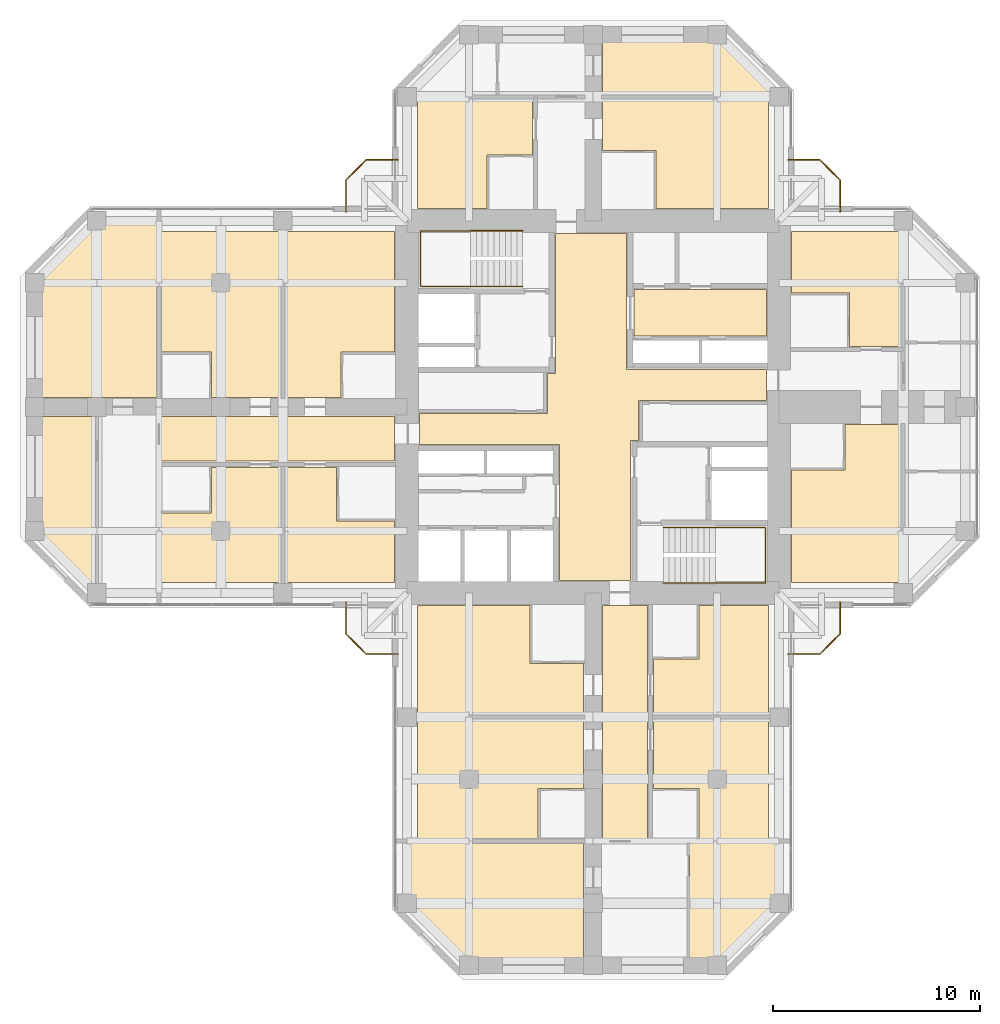
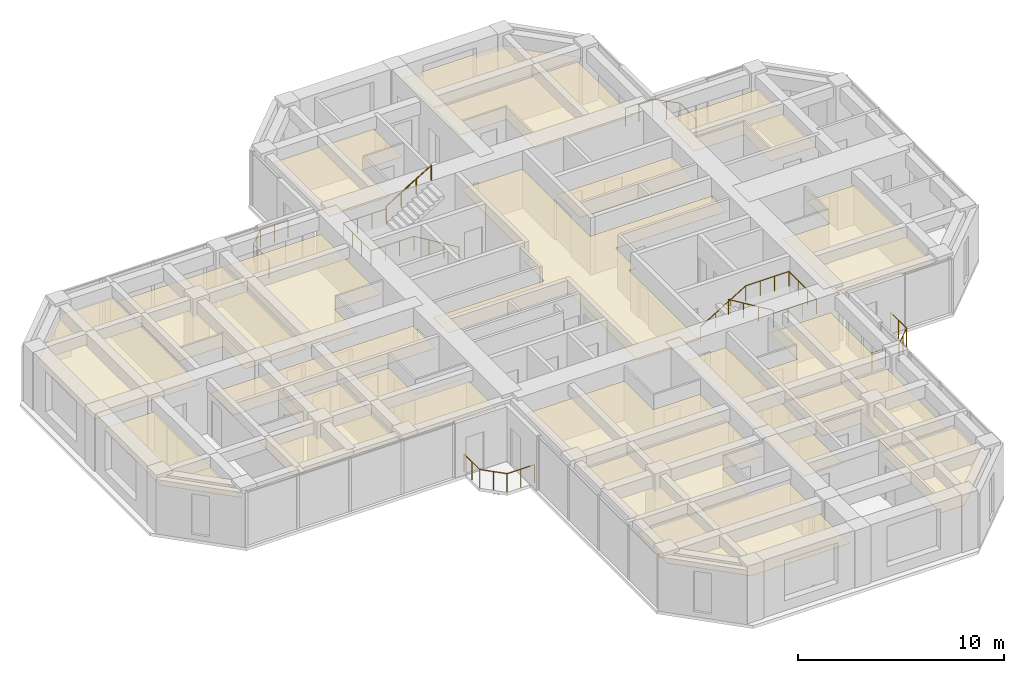
# One storey, part 14 of 14: 21 coverings, 8 railings.
"""IFC4 building model written with IfcOpenShell, lengths in metres."""

from ifc_helpers import new_model, si_unit, direction, frame, origin, origin_2d, place, context, subcontext, project, spatial, polyline, circle, outline, extrude, material, layer, layer_set, constituent, constituent_set, type_object, element, save


model = new_model("IFC4")

# Units and contexts
model_context = context("Model", 3, precision=1e-05, world=origin(), true_north=direction((0.0, 1.0)))
body_context = subcontext(model_context, "Body", "Model", "MODEL_VIEW")
ifc_project = project(units=[si_unit("LENGTHUNIT", "METRE"), si_unit("AREAUNIT", "SQUARE_METRE"), si_unit("VOLUMEUNIT", "CUBIC_METRE"), si_unit("PLANEANGLEUNIT", "RADIAN"), si_unit("MASSUNIT", "GRAM", prefix="KILO")], contexts=[model_context])

# Site, building, storey
site_placement = place(None, origin())
site = spatial("IfcSite", under=ifc_project, at=site_placement, CompositionType="ELEMENT")
building_placement = place(site_placement, origin())
building = spatial("IfcBuilding", under=site, at=building_placement, Name="Torre Cruceta", CompositionType="ELEMENT")
storey_placement = place(building_placement, frame((0.0, 0.0, 172.89990234375)))
storey = spatial("IfcBuildingStorey", under=building, at=storey_placement, Name="L42", CompositionType="ELEMENT", Elevation=172.89990234375)

# Railings
ifc_material_1 = material(Name="Stainless steel 1.4401", Category="steel")
ifc_constituent_1 = constituent(ifc_material_1, Name="Frame")
ifc_material_2 = material(Name="Laminated safety glass", Category="glass")
ifc_constituent_2 = constituent(ifc_material_2, Name="Infill")
ifc_constituent_set = constituent_set(constituents=[ifc_constituent_1, ifc_constituent_2], Name="Stainless steel and laminated glass balustrade")
railing_type_1 = type_object("IfcRailingType", Name="BALCONY BALUSTRADE 1100", PredefinedType="BALUSTRADE", material=ifc_constituent_set)
railing_1_placement = place(storey_placement, frame((-9.449951171875, 11.949951171875, 0.0)))
element("IfcRailing", 1, at=railing_1_placement, inside=storey, type_object=railing_type_1, Name="BL1 balcony balustrade L42 N", PredefinedType="BALUSTRADE", context=body_context, shape_type="SweptSolid", body=[
    extrude(circle(Radius=0.02392578125, at=origin_2d()), frame((0.0, 0.0, 1.076171875), z_axis=(-1.0, 0.0, 0.0), x_axis=(0.0, -1.0, 0.0)), (0.0, 0.0, 1.0), 1.529296875),
    extrude(circle(Radius=0.02392578125, at=origin_2d()), frame((-1.529296875, 0.0, 1.076171875), z_axis=(-0.707106781187, -0.707106781187, 0.0), x_axis=(0.707106781187, -0.707106781187, 0.0)), (0.0, 0.0, 1.0), 1.372802734375),
    extrude(circle(Radius=0.02392578125, at=origin_2d()), frame((-2.5, -0.970703125, 1.076171875), z_axis=(0.0, -1.0, 0.0), x_axis=(1.0, 0.0, 0.0)), (0.0, 0.0, 1.0), 1.529296875),
    extrude(circle(Radius=0.02099609375, at=origin_2d()), origin(), (0.0, 0.0, 1.0), 1.052001953125),
    extrude(circle(Radius=0.02099609375, at=origin_2d()), frame((-0.7646484375, 0.0, 0.0)), (0.0, 0.0, 1.0), 1.052001953125),
    extrude(circle(Radius=0.02099609375, at=origin_2d()), frame((-1.529296875, 0.0, 0.0)), (0.0, 0.0, 1.0), 1.052001953125),
    extrude(circle(Radius=0.02099609375, at=origin_2d()), frame((-2.0146484375, -0.4853515625, 0.0)), (0.0, 0.0, 1.0), 1.052001953125),
    extrude(circle(Radius=0.02099609375, at=origin_2d()), frame((-2.5, -0.970703125, 0.0)), (0.0, 0.0, 1.0), 1.052001953125),
    extrude(circle(Radius=0.02099609375, at=origin_2d()), frame((-2.5, -1.7353515625, 0.0)), (0.0, 0.0, 1.0), 1.052001953125),
    extrude(circle(Radius=0.02099609375, at=origin_2d()), frame((-2.5, -2.5, 0.0)), (0.0, 0.0, 1.0), 1.052001953125),
])
railing_2_placement = place(storey_placement, frame((9.449951171875, 11.949951171875, 0.0)))
element("IfcRailing", 2, at=railing_2_placement, inside=storey, type_object=railing_type_1, Name="BL1 balcony balustrade L42 E", PredefinedType="BALUSTRADE", context=body_context, shape_type="SweptSolid", body=[
    extrude(circle(Radius=0.02392578125, at=origin_2d()), frame((0.0, 0.0, 1.076171875), z_axis=(1.0, 0.0, 0.0), x_axis=(0.0, 1.0, 0.0)), (0.0, 0.0, 1.0), 1.529296875),
    extrude(circle(Radius=0.02392578125, at=origin_2d()), frame((1.529296875, 0.0, 1.076171875), z_axis=(0.707106781187, -0.707106781187, 0.0), x_axis=(0.707106781187, 0.707106781187, 0.0)), (0.0, 0.0, 1.0), 1.372802734375),
    extrude(circle(Radius=0.02392578125, at=origin_2d()), frame((2.5, -0.970703125, 1.076171875), z_axis=(0.0, -1.0, 0.0), x_axis=(1.0, 0.0, 0.0)), (0.0, 0.0, 1.0), 1.529296875),
    extrude(circle(Radius=0.02099609375, at=origin_2d()), origin(), (0.0, 0.0, 1.0), 1.052001953125),
    extrude(circle(Radius=0.02099609375, at=origin_2d()), frame((0.7646484375, 0.0, 0.0)), (0.0, 0.0, 1.0), 1.052001953125),
    extrude(circle(Radius=0.02099609375, at=origin_2d()), frame((1.529296875, 0.0, 0.0)), (0.0, 0.0, 1.0), 1.052001953125),
    extrude(circle(Radius=0.02099609375, at=origin_2d()), frame((2.0146484375, -0.4853515625, 0.0)), (0.0, 0.0, 1.0), 1.052001953125),
    extrude(circle(Radius=0.02099609375, at=origin_2d()), frame((2.5, -0.970703125, 0.0)), (0.0, 0.0, 1.0), 1.052001953125),
    extrude(circle(Radius=0.02099609375, at=origin_2d()), frame((2.5, -1.7353515625, 0.0)), (0.0, 0.0, 1.0), 1.052001953125),
    extrude(circle(Radius=0.02099609375, at=origin_2d()), frame((2.5, -2.5, 0.0)), (0.0, 0.0, 1.0), 1.052001953125),
])
railing_3_placement = place(storey_placement, frame((9.449951171875, -11.949951171875, 0.0)))
element("IfcRailing", 3, at=railing_3_placement, inside=storey, type_object=railing_type_1, Name="BL1 balcony balustrade L42 S", PredefinedType="BALUSTRADE", context=body_context, shape_type="SweptSolid", body=[
    extrude(circle(Radius=0.02392578125, at=origin_2d()), frame((0.0, 0.0, 1.076171875), z_axis=(1.0, 0.0, 0.0), x_axis=(0.0, 1.0, 0.0)), (0.0, 0.0, 1.0), 1.529296875),
    extrude(circle(Radius=0.02392578125, at=origin_2d()), frame((1.529296875, 0.0, 1.076171875), z_axis=(0.707106781187, 0.707106781187, 0.0), x_axis=(-0.707106781187, 0.707106781187, 0.0)), (0.0, 0.0, 1.0), 1.372802734375),
    extrude(circle(Radius=0.02392578125, at=origin_2d()), frame((2.5, 0.970703125, 1.076171875), z_axis=(0.0, 1.0, 0.0), x_axis=(-1.0, 0.0, 0.0)), (0.0, 0.0, 1.0), 1.529296875),
    extrude(circle(Radius=0.02099609375, at=origin_2d()), origin(), (0.0, 0.0, 1.0), 1.052001953125),
    extrude(circle(Radius=0.02099609375, at=origin_2d()), frame((0.7646484375, 0.0, 0.0)), (0.0, 0.0, 1.0), 1.052001953125),
    extrude(circle(Radius=0.02099609375, at=origin_2d()), frame((1.529296875, 0.0, 0.0)), (0.0, 0.0, 1.0), 1.052001953125),
    extrude(circle(Radius=0.02099609375, at=origin_2d()), frame((2.0146484375, 0.4853515625, 0.0)), (0.0, 0.0, 1.0), 1.052001953125),
    extrude(circle(Radius=0.02099609375, at=origin_2d()), frame((2.5, 0.970703125, 0.0)), (0.0, 0.0, 1.0), 1.052001953125),
    extrude(circle(Radius=0.02099609375, at=origin_2d()), frame((2.5, 1.7353515625, 0.0)), (0.0, 0.0, 1.0), 1.052001953125),
    extrude(circle(Radius=0.02099609375, at=origin_2d()), frame((2.5, 2.5, 0.0)), (0.0, 0.0, 1.0), 1.052001953125),
])
railing_4_placement = place(storey_placement, frame((-9.449951171875, -11.949951171875, 0.0)))
element("IfcRailing", 4, at=railing_4_placement, inside=storey, type_object=railing_type_1, Name="BL1 balcony balustrade L42 W", PredefinedType="BALUSTRADE", context=body_context, shape_type="SweptSolid", body=[
    extrude(circle(Radius=0.02392578125, at=origin_2d()), frame((0.0, 0.0, 1.076171875), z_axis=(-1.0, 0.0, 0.0), x_axis=(0.0, -1.0, 0.0)), (0.0, 0.0, 1.0), 1.529296875),
    extrude(circle(Radius=0.02392578125, at=origin_2d()), frame((-1.529296875, 0.0, 1.076171875), z_axis=(-0.707106781187, 0.707106781187, 0.0), x_axis=(-0.707106781187, -0.707106781187, 0.0)), (0.0, 0.0, 1.0), 1.372802734375),
    extrude(circle(Radius=0.02392578125, at=origin_2d()), frame((-2.5, 0.970703125, 1.076171875), z_axis=(0.0, 1.0, 0.0), x_axis=(-1.0, 0.0, 0.0)), (0.0, 0.0, 1.0), 1.529296875),
    extrude(circle(Radius=0.02099609375, at=origin_2d()), origin(), (0.0, 0.0, 1.0), 1.052001953125),
    extrude(circle(Radius=0.02099609375, at=origin_2d()), frame((-0.7646484375, 0.0, 0.0)), (0.0, 0.0, 1.0), 1.052001953125),
    extrude(circle(Radius=0.02099609375, at=origin_2d()), frame((-1.529296875, 0.0, 0.0)), (0.0, 0.0, 1.0), 1.052001953125),
    extrude(circle(Radius=0.02099609375, at=origin_2d()), frame((-2.0146484375, 0.4853515625, 0.0)), (0.0, 0.0, 1.0), 1.052001953125),
    extrude(circle(Radius=0.02099609375, at=origin_2d()), frame((-2.5, 0.970703125, 0.0)), (0.0, 0.0, 1.0), 1.052001953125),
    extrude(circle(Radius=0.02099609375, at=origin_2d()), frame((-2.5, 1.7353515625, 0.0)), (0.0, 0.0, 1.0), 1.052001953125),
    extrude(circle(Radius=0.02099609375, at=origin_2d()), frame((-2.5, 2.5, 0.0)), (0.0, 0.0, 1.0), 1.052001953125),
])
ifc_material_3 = material(Name="Stainless steel 1.4401", Category="steel")
railing_type_2 = type_object("IfcRailingType", Name="HANDRAIL 900", PredefinedType="HANDRAIL", material=ifc_material_3)
railing_5_placement = place(storey_placement, frame((-3.39990234375, 5.8349609375, 0.170166015625)))
element("IfcRailing", 5, at=railing_5_placement, inside=storey, type_object=railing_type_2, Name="Handrail HR1 ST1 L42", PredefinedType="HANDRAIL", context=body_context, shape_type="SweptSolid", body=[
    extrude(circle(Radius=0.02392578125, at=origin_2d()), frame((0.0, 0.0, 0.8759765625), z_axis=(-0.85478489116, 0.0, 0.518982456201), x_axis=(0.0, -1.0, 0.0)), (0.0, 0.0, 1.0), 2.9482421875),
    extrude(circle(Radius=0.02392578125, at=origin_2d()), frame((-2.52001953125, 0.0, 2.40576171875), z_axis=(-1.0, 0.0, 0.0), x_axis=(0.0, -1.0, 0.0)), (0.0, 0.0, 1.0), 2.420166015625),
    extrude(circle(Radius=0.02392578125, at=origin_2d()), frame((-4.940185546875, 0.0, 2.40576171875), z_axis=(0.0, 1.0, 0.0), x_axis=(-1.0, 0.0, 0.0)), (0.0, 0.0, 1.0), 2.679931640625),
    extrude(circle(Radius=0.02392578125, at=origin_2d()), frame((-4.940185546875, 2.679931640625, 2.40576171875), z_axis=(1.0, 0.0, 0.0), x_axis=(0.0, 1.0, 0.0)), (0.0, 0.0, 1.0), 2.420166015625),
    extrude(circle(Radius=0.02099609375, at=origin_2d()), origin(), (0.0, 0.0, 1.0), 0.851806640625),
    extrude(circle(Radius=0.02099609375, at=origin_2d()), frame((-0.840087890625, 0.0, 0.510009765625)), (0.0, 0.0, 1.0), 0.851806640625),
    extrude(circle(Radius=0.02099609375, at=origin_2d()), frame((-1.679931640625, 0.0, 1.02001953125)), (0.0, 0.0, 1.0), 0.851806640625),
    extrude(circle(Radius=0.02099609375, at=origin_2d()), frame((-2.52001953125, 0.0, 1.530029296875)), (0.0, 0.0, 1.0), 0.851806640625),
    extrude(circle(Radius=0.02099609375, at=origin_2d()), frame((-3.32666015625, 0.0, 1.530029296875)), (0.0, 0.0, 1.0), 0.851806640625),
    extrude(circle(Radius=0.02099609375, at=origin_2d()), frame((-4.133544921875, 0.0, 1.530029296875)), (0.0, 0.0, 1.0), 0.851806640625),
    extrude(circle(Radius=0.02099609375, at=origin_2d()), frame((-4.940185546875, 0.0, 1.530029296875)), (0.0, 0.0, 1.0), 0.851806640625),
    extrude(circle(Radius=0.02099609375, at=origin_2d()), frame((-4.940185546875, 0.893310546875, 1.530029296875)), (0.0, 0.0, 1.0), 0.851806640625),
    extrude(circle(Radius=0.02099609375, at=origin_2d()), frame((-4.940185546875, 1.78662109375, 1.530029296875)), (0.0, 0.0, 1.0), 0.851806640625),
    extrude(circle(Radius=0.02099609375, at=origin_2d()), frame((-4.940185546875, 2.679931640625, 1.530029296875)), (0.0, 0.0, 1.0), 0.851806640625),
    extrude(circle(Radius=0.02099609375, at=origin_2d()), frame((-4.133544921875, 2.679931640625, 1.530029296875)), (0.0, 0.0, 1.0), 0.851806640625),
    extrude(circle(Radius=0.02099609375, at=origin_2d()), frame((-3.32666015625, 2.679931640625, 1.530029296875)), (0.0, 0.0, 1.0), 0.851806640625),
    extrude(circle(Radius=0.02099609375, at=origin_2d()), frame((-2.52001953125, 2.679931640625, 1.530029296875)), (0.0, 0.0, 1.0), 0.851806640625),
])
railing_6_placement = place(storey_placement, frame((-5.919921875, 8.514892578125, 1.8701171875)))
element("IfcRailing", 6, at=railing_6_placement, inside=storey, type_object=railing_type_2, Name="Handrail HR1 ST1 L42", PredefinedType="HANDRAIL", context=body_context, shape_type="SweptSolid", body=[
    extrude(circle(Radius=0.02392578125, at=origin_2d()), frame((0.0, 0.0, 0.8759765625), z_axis=(0.85478489116, 0.0, 0.518982456201), x_axis=(0.0, 1.0, 0.0)), (0.0, 0.0, 1.0), 2.9482421875),
    extrude(circle(Radius=0.02099609375, at=origin_2d()), origin(), (0.0, 0.0, 1.0), 0.851806640625),
    extrude(circle(Radius=0.02099609375, at=origin_2d()), frame((0.840087890625, 0.0, 0.510009765625)), (0.0, 0.0, 1.0), 0.851806640625),
    extrude(circle(Radius=0.02099609375, at=origin_2d()), frame((1.679931640625, 0.0, 1.02001953125)), (0.0, 0.0, 1.0), 0.851806640625),
    extrude(circle(Radius=0.02099609375, at=origin_2d()), frame((2.52001953125, 0.0, 1.530029296875)), (0.0, 0.0, 1.0), 0.851806640625),
])
railing_7_placement = place(storey_placement, frame((3.39990234375, -5.8349609375, 0.170166015625)))
element("IfcRailing", 7, at=railing_7_placement, inside=storey, type_object=railing_type_2, Name="Handrail HR1 ST2 L42", PredefinedType="HANDRAIL", context=body_context, shape_type="SweptSolid", body=[
    extrude(circle(Radius=0.02392578125, at=origin_2d()), frame((0.0, 0.0, 0.8759765625), z_axis=(0.85478489116, 0.0, 0.518982456201), x_axis=(0.0, 1.0, 0.0)), (0.0, 0.0, 1.0), 2.9482421875),
    extrude(circle(Radius=0.02392578125, at=origin_2d()), frame((2.52001953125, 0.0, 2.40576171875), z_axis=(1.0, 0.0, 0.0), x_axis=(0.0, 1.0, 0.0)), (0.0, 0.0, 1.0), 2.420166015625),
    extrude(circle(Radius=0.02392578125, at=origin_2d()), frame((4.940185546875, 0.0, 2.40576171875), z_axis=(0.0, -1.0, 0.0), x_axis=(1.0, 0.0, 0.0)), (0.0, 0.0, 1.0), 2.679931640625),
    extrude(circle(Radius=0.02392578125, at=origin_2d()), frame((4.940185546875, -2.679931640625, 2.40576171875), z_axis=(-1.0, 0.0, 0.0), x_axis=(0.0, -1.0, 0.0)), (0.0, 0.0, 1.0), 2.420166015625),
    extrude(circle(Radius=0.02099609375, at=origin_2d()), origin(), (0.0, 0.0, 1.0), 0.851806640625),
    extrude(circle(Radius=0.02099609375, at=origin_2d()), frame((0.840087890625, 0.0, 0.510009765625)), (0.0, 0.0, 1.0), 0.851806640625),
    extrude(circle(Radius=0.02099609375, at=origin_2d()), frame((1.679931640625, 0.0, 1.02001953125)), (0.0, 0.0, 1.0), 0.851806640625),
    extrude(circle(Radius=0.02099609375, at=origin_2d()), frame((2.52001953125, 0.0, 1.530029296875)), (0.0, 0.0, 1.0), 0.851806640625),
    extrude(circle(Radius=0.02099609375, at=origin_2d()), frame((3.32666015625, 0.0, 1.530029296875)), (0.0, 0.0, 1.0), 0.851806640625),
    extrude(circle(Radius=0.02099609375, at=origin_2d()), frame((4.133544921875, 0.0, 1.530029296875)), (0.0, 0.0, 1.0), 0.851806640625),
    extrude(circle(Radius=0.02099609375, at=origin_2d()), frame((4.940185546875, 0.0, 1.530029296875)), (0.0, 0.0, 1.0), 0.851806640625),
    extrude(circle(Radius=0.02099609375, at=origin_2d()), frame((4.940185546875, -0.893310546875, 1.530029296875)), (0.0, 0.0, 1.0), 0.851806640625),
    extrude(circle(Radius=0.02099609375, at=origin_2d()), frame((4.940185546875, -1.78662109375, 1.530029296875)), (0.0, 0.0, 1.0), 0.851806640625),
    extrude(circle(Radius=0.02099609375, at=origin_2d()), frame((4.940185546875, -2.679931640625, 1.530029296875)), (0.0, 0.0, 1.0), 0.851806640625),
    extrude(circle(Radius=0.02099609375, at=origin_2d()), frame((4.133544921875, -2.679931640625, 1.530029296875)), (0.0, 0.0, 1.0), 0.851806640625),
    extrude(circle(Radius=0.02099609375, at=origin_2d()), frame((3.32666015625, -2.679931640625, 1.530029296875)), (0.0, 0.0, 1.0), 0.851806640625),
    extrude(circle(Radius=0.02099609375, at=origin_2d()), frame((2.52001953125, -2.679931640625, 1.530029296875)), (0.0, 0.0, 1.0), 0.851806640625),
])
railing_8_placement = place(storey_placement, frame((5.919921875, -8.514892578125, 1.8701171875)))
element("IfcRailing", 8, at=railing_8_placement, inside=storey, type_object=railing_type_2, Name="Handrail HR1 ST2 L42", PredefinedType="HANDRAIL", context=body_context, shape_type="SweptSolid", body=[
    extrude(circle(Radius=0.02392578125, at=origin_2d()), frame((0.0, 0.0, 0.8759765625), z_axis=(-0.85478489116, 0.0, 0.518982456201), x_axis=(0.0, -1.0, 0.0)), (0.0, 0.0, 1.0), 2.9482421875),
    extrude(circle(Radius=0.02099609375, at=origin_2d()), origin(), (0.0, 0.0, 1.0), 0.851806640625),
    extrude(circle(Radius=0.02099609375, at=origin_2d()), frame((-0.840087890625, 0.0, 0.510009765625)), (0.0, 0.0, 1.0), 0.851806640625),
    extrude(circle(Radius=0.02099609375, at=origin_2d()), frame((-1.679931640625, 0.0, 1.02001953125)), (0.0, 0.0, 1.0), 0.851806640625),
    extrude(circle(Radius=0.02099609375, at=origin_2d()), frame((-2.52001953125, 0.0, 1.530029296875)), (0.0, 0.0, 1.0), 0.851806640625),
])

# Coverings
ifc_material_4 = material(Name="Mineral fibre ceiling tile", Category="gypsum")
ifc_layer = layer(ifc_material_4, 0.02001953125)
ifc_layer_set = layer_set([ifc_layer], Name="Mineral fibre ceiling tile")
covering_type = type_object("IfcCoveringType", Name="SUSPENDED CEILING 20", PredefinedType="CEILING", material=ifc_layer_set)
covering_1_placement = place(storey_placement, frame((0.0, 0.0, 2.35009765625)))
element("IfcCovering", 9, at=covering_1_placement, inside=storey, type_object=covering_type, Name="Ceiling L42-003", PredefinedType="CEILING", context=body_context, shape_type="SweptSolid", body=[
    extrude(outline(polyline([(1.824951171875, -8.39990234375), (-1.625, -8.39990234375), (-1.625, -1.824951171875), (-8.39990234375, -1.824951171875), (-8.39990234375, -0.324951171875), (-2.199951171875, -0.324951171875), (-2.199951171875, 1.625), (-1.824951171875, 1.625), (-1.824951171875, 8.39990234375), (1.625, 8.39990234375), (1.625, 1.824951171875), (8.39990234375, 1.824951171875), (8.39990234375, 0.324951171875), (2.199951171875, 0.324951171875), (2.199951171875, -1.625), (1.824951171875, -1.625), (1.824951171875, -8.39990234375)])), origin(), (0.0, 0.0, 1.0), 0.02001953125),
])
covering_2_placement = place(storey_placement, frame((0.0, 0.0, 2.35009765625)))
element("IfcCovering", 10, at=covering_2_placement, inside=storey, type_object=covering_type, Name="Ceiling L42-006", PredefinedType="CEILING", context=body_context, shape_type="SweptSolid", body=[
    extrude(outline(polyline([(1.97509765625, 3.425048828125), (1.97509765625, 5.675048828125), (8.39990234375, 5.675048828125), (8.39990234375, 3.425048828125), (1.97509765625, 3.425048828125)])), origin(), (0.0, 0.0, 1.0), 0.02001953125),
])
covering_3_placement = place(storey_placement, frame((0.0, 0.0, 2.35009765625)))
element("IfcCovering", 11, at=covering_3_placement, inside=storey, type_object=covering_type, Name="Ceiling L42-025", PredefinedType="CEILING", context=body_context, shape_type="SweptSolid", body=[
    extrude(outline(polyline([(-8.5, 9.60009765625), (-8.5, 14.949951171875), (-2.925048828125, 14.949951171875), (-2.925048828125, 12.199951171875), (-5.125, 12.199951171875), (-5.125, 9.60009765625), (-8.5, 9.60009765625)])), origin(), (0.0, 0.0, 1.0), 0.02001953125),
])
covering_4_placement = place(storey_placement, frame((0.0, 0.0, 2.35009765625)))
element("IfcCovering", 12, at=covering_4_placement, inside=storey, type_object=covering_type, Name="Ceiling L42-027", PredefinedType="CEILING", context=body_context, shape_type="SweptSolid", body=[
    extrude(outline(polyline([(0.449951171875, 14.949951171875), (8.5, 14.949951171875), (8.5, 9.60009765625), (3.050048828125, 9.60009765625), (3.050048828125, 12.39990234375), (0.449951171875, 12.39990234375), (0.449951171875, 14.949951171875)])), origin(), (0.0, 0.0, 1.0), 0.02001953125),
])
covering_5_placement = place(storey_placement, frame((0.0, 0.0, 2.35009765625)))
element("IfcCovering", 13, at=covering_5_placement, inside=storey, type_object=covering_type, Name="Ceiling L42-031", PredefinedType="CEILING", context=body_context, shape_type="SweptSolid", body=[
    extrude(outline(polyline([(8.87939453125, 15.050048828125), (0.449951171875, 15.050048828125), (0.449951171875, 17.949951171875), (5.979248046875, 17.949951171875), (8.87939453125, 15.050048828125)])), origin(), (0.0, 0.0, 1.0), 0.02001953125),
])
covering_6_placement = place(storey_placement, frame((0.0, 0.0, 2.35009765625)))
element("IfcCovering", 14, at=covering_6_placement, inside=storey, type_object=covering_type, Name="Ceiling L42-033", PredefinedType="CEILING", context=body_context, shape_type="SweptSolid", body=[
    extrude(outline(polyline([(9.60009765625, 8.5), (14.949951171875, 8.5), (14.949951171875, 2.925048828125), (12.39990234375, 2.925048828125), (12.39990234375, 5.52490234375), (9.60009765625, 5.52490234375), (9.60009765625, 8.5)])), origin(), (0.0, 0.0, 1.0), 0.02001953125),
])
covering_7_placement = place(storey_placement, frame((0.0, 0.0, 2.35009765625)))
element("IfcCovering", 15, at=covering_7_placement, inside=storey, type_object=covering_type, Name="Ceiling L42-035", PredefinedType="CEILING", context=body_context, shape_type="SweptSolid", body=[
    extrude(outline(polyline([(14.949951171875, -0.85009765625), (14.949951171875, -8.5), (9.60009765625, -8.5), (9.60009765625, -3.050048828125), (12.199951171875, -3.050048828125), (12.199951171875, -0.85009765625), (14.949951171875, -0.85009765625)])), origin(), (0.0, 0.0, 1.0), 0.02001953125),
])
covering_8_placement = place(storey_placement, frame((0.0, 0.0, 2.35009765625)))
element("IfcCovering", 16, at=covering_8_placement, inside=storey, type_object=covering_type, Name="Ceiling L42-041", PredefinedType="CEILING", context=body_context, shape_type="SweptSolid", body=[
    extrude(outline(polyline([(0.449951171875, -9.60009765625), (2.625, -9.60009765625), (2.625, -20.949951171875), (0.449951171875, -20.949951171875), (0.449951171875, -9.60009765625)])), origin(), (0.0, 0.0, 1.0), 0.02001953125),
])
covering_9_placement = place(storey_placement, frame((0.0, 0.0, 2.35009765625)))
element("IfcCovering", 17, at=covering_9_placement, inside=storey, type_object=covering_type, Name="Ceiling L42-042", PredefinedType="CEILING", context=body_context, shape_type="SweptSolid", body=[
    extrude(outline(polyline([(8.5, -9.60009765625), (8.5, -14.949951171875), (2.925048828125, -14.949951171875), (2.925048828125, -12.199951171875), (5.125, -12.199951171875), (5.125, -9.60009765625), (8.5, -9.60009765625)])), origin(), (0.0, 0.0, 1.0), 0.02001953125),
])
covering_10_placement = place(storey_placement, frame((0.0, 0.0, 2.35009765625)))
element("IfcCovering", 18, at=covering_10_placement, inside=storey, type_object=covering_type, Name="Ceiling L42-044", PredefinedType="CEILING", context=body_context, shape_type="SweptSolid", body=[
    extrude(outline(polyline([(-0.449951171875, -14.949951171875), (-8.5, -14.949951171875), (-8.5, -9.60009765625), (-3.050048828125, -9.60009765625), (-3.050048828125, -12.39990234375), (-0.449951171875, -12.39990234375), (-0.449951171875, -14.949951171875)])), origin(), (0.0, 0.0, 1.0), 0.02001953125),
])
covering_11_placement = place(storey_placement, frame((0.0, 0.0, 2.35009765625)))
element("IfcCovering", 19, at=covering_11_placement, inside=storey, type_object=covering_type, Name="Ceiling L42-046", PredefinedType="CEILING", context=body_context, shape_type="SweptSolid", body=[
    extrude(outline(polyline([(2.925048828125, -15.050048828125), (8.5, -15.050048828125), (8.5, -20.949951171875), (5.125, -20.949951171875), (5.125, -18.449951171875), (2.925048828125, -18.449951171875), (2.925048828125, -15.050048828125)])), origin(), (0.0, 0.0, 1.0), 0.02001953125),
])
covering_12_placement = place(storey_placement, frame((0.0, 0.0, 2.35009765625)))
element("IfcCovering", 20, at=covering_12_placement, inside=storey, type_object=covering_type, Name="Ceiling L42-048", PredefinedType="CEILING", context=body_context, shape_type="SweptSolid", body=[
    extrude(outline(polyline([(-8.5, -20.949951171875), (-8.5, -15.050048828125), (-0.449951171875, -15.050048828125), (-0.449951171875, -18.449951171875), (-2.64990234375, -18.449951171875), (-2.64990234375, -20.949951171875), (-8.5, -20.949951171875)])), origin(), (0.0, 0.0, 1.0), 0.02001953125),
])
covering_13_placement = place(storey_placement, frame((0.0, 0.0, 2.35009765625)))
element("IfcCovering", 21, at=covering_13_placement, inside=storey, type_object=covering_type, Name="Ceiling L42-051", PredefinedType="CEILING", context=body_context, shape_type="SweptSolid", body=[
    extrude(outline(polyline([(8.949951171875, -23.979248046875), (5.979248046875, -26.949951171875), (4.675048828125, -26.949951171875), (4.675048828125, -21.050048828125), (8.949951171875, -21.050048828125), (8.949951171875, -23.979248046875)])), origin(), (0.0, 0.0, 1.0), 0.02001953125),
])
covering_14_placement = place(storey_placement, frame((0.0, 0.0, 2.35009765625)))
element("IfcCovering", 22, at=covering_14_placement, inside=storey, type_object=covering_type, Name="Ceiling L42-052", PredefinedType="CEILING", context=body_context, shape_type="SweptSolid", body=[
    extrude(outline(polyline([(-8.949951171875, -23.979248046875), (-8.949951171875, -21.050048828125), (-0.449951171875, -21.050048828125), (-0.449951171875, -26.949951171875), (-5.979248046875, -26.949951171875), (-8.949951171875, -23.979248046875)])), origin(), (0.0, 0.0, 1.0), 0.02001953125),
])
covering_15_placement = place(storey_placement, frame((0.0, 0.0, 2.35009765625)))
element("IfcCovering", 23, at=covering_15_placement, inside=storey, type_object=covering_type, Name="Ceiling L42-053", PredefinedType="CEILING", context=body_context, shape_type="SweptSolid", body=[
    extrude(outline(polyline([(-9.60009765625, -0.449951171875), (-9.60009765625, -2.625), (-20.949951171875, -2.625), (-20.949951171875, -0.449951171875), (-9.60009765625, -0.449951171875)])), origin(), (0.0, 0.0, 1.0), 0.02001953125),
])
covering_16_placement = place(storey_placement, frame((0.0, 0.0, 2.35009765625)))
element("IfcCovering", 24, at=covering_16_placement, inside=storey, type_object=covering_type, Name="Ceiling L42-054", PredefinedType="CEILING", context=body_context, shape_type="SweptSolid", body=[
    extrude(outline(polyline([(-9.60009765625, -8.5), (-14.949951171875, -8.5), (-14.949951171875, -2.925048828125), (-12.39990234375, -2.925048828125), (-12.39990234375, -5.52490234375), (-9.60009765625, -5.52490234375), (-9.60009765625, -8.5)])), origin(), (0.0, 0.0, 1.0), 0.02001953125),
])
covering_17_placement = place(storey_placement, frame((0.0, 0.0, 2.35009765625)))
element("IfcCovering", 25, at=covering_17_placement, inside=storey, type_object=covering_type, Name="Ceiling L42-056", PredefinedType="CEILING", context=body_context, shape_type="SweptSolid", body=[
    extrude(outline(polyline([(-14.949951171875, 0.449951171875), (-14.949951171875, 8.5), (-9.60009765625, 8.5), (-9.60009765625, 2.64990234375), (-12.199951171875, 2.64990234375), (-12.199951171875, 0.449951171875), (-14.949951171875, 0.449951171875)])), origin(), (0.0, 0.0, 1.0), 0.02001953125),
])
covering_18_placement = place(storey_placement, frame((0.0, 0.0, 2.35009765625)))
element("IfcCovering", 26, at=covering_18_placement, inside=storey, type_object=covering_type, Name="Ceiling L42-058", PredefinedType="CEILING", context=body_context, shape_type="SweptSolid", body=[
    extrude(outline(polyline([(-15.050048828125, -2.925048828125), (-15.050048828125, -8.5), (-20.949951171875, -8.5), (-20.949951171875, -5.125), (-18.449951171875, -5.125), (-18.449951171875, -2.925048828125), (-15.050048828125, -2.925048828125)])), origin(), (0.0, 0.0, 1.0), 0.02001953125),
])
covering_19_placement = place(storey_placement, frame((0.0, 0.0, 2.35009765625)))
element("IfcCovering", 27, at=covering_19_placement, inside=storey, type_object=covering_type, Name="Ceiling L42-060", PredefinedType="CEILING", context=body_context, shape_type="SweptSolid", body=[
    extrude(outline(polyline([(-20.949951171875, 8.5), (-15.050048828125, 8.5), (-15.050048828125, 0.449951171875), (-18.449951171875, 0.449951171875), (-18.449951171875, 2.64990234375), (-20.949951171875, 2.64990234375), (-20.949951171875, 8.5)])), origin(), (0.0, 0.0, 1.0), 0.02001953125),
])
covering_20_placement = place(storey_placement, frame((0.0, 0.0, 2.35009765625)))
element("IfcCovering", 28, at=covering_20_placement, inside=storey, type_object=covering_type, Name="Ceiling L42-063", PredefinedType="CEILING", context=body_context, shape_type="SweptSolid", body=[
    extrude(outline(polyline([(-26.949951171875, -0.449951171875), (-24.050048828125, -0.449951171875), (-24.050048828125, -8.87939453125), (-26.949951171875, -5.979248046875), (-26.949951171875, -0.449951171875)])), origin(), (0.0, 0.0, 1.0), 0.02001953125),
])
covering_21_placement = place(storey_placement, frame((0.0, 0.0, 2.35009765625)))
element("IfcCovering", 29, at=covering_21_placement, inside=storey, type_object=covering_type, Name="Ceiling L42-064", PredefinedType="CEILING", context=body_context, shape_type="SweptSolid", body=[
    extrude(outline(polyline([(-23.979248046875, 8.949951171875), (-21.050048828125, 8.949951171875), (-21.050048828125, 0.449951171875), (-26.949951171875, 0.449951171875), (-26.949951171875, 5.979248046875), (-23.979248046875, 8.949951171875)])), origin(), (0.0, 0.0, 1.0), 0.02001953125),
])

save(model, "model.ifc")
